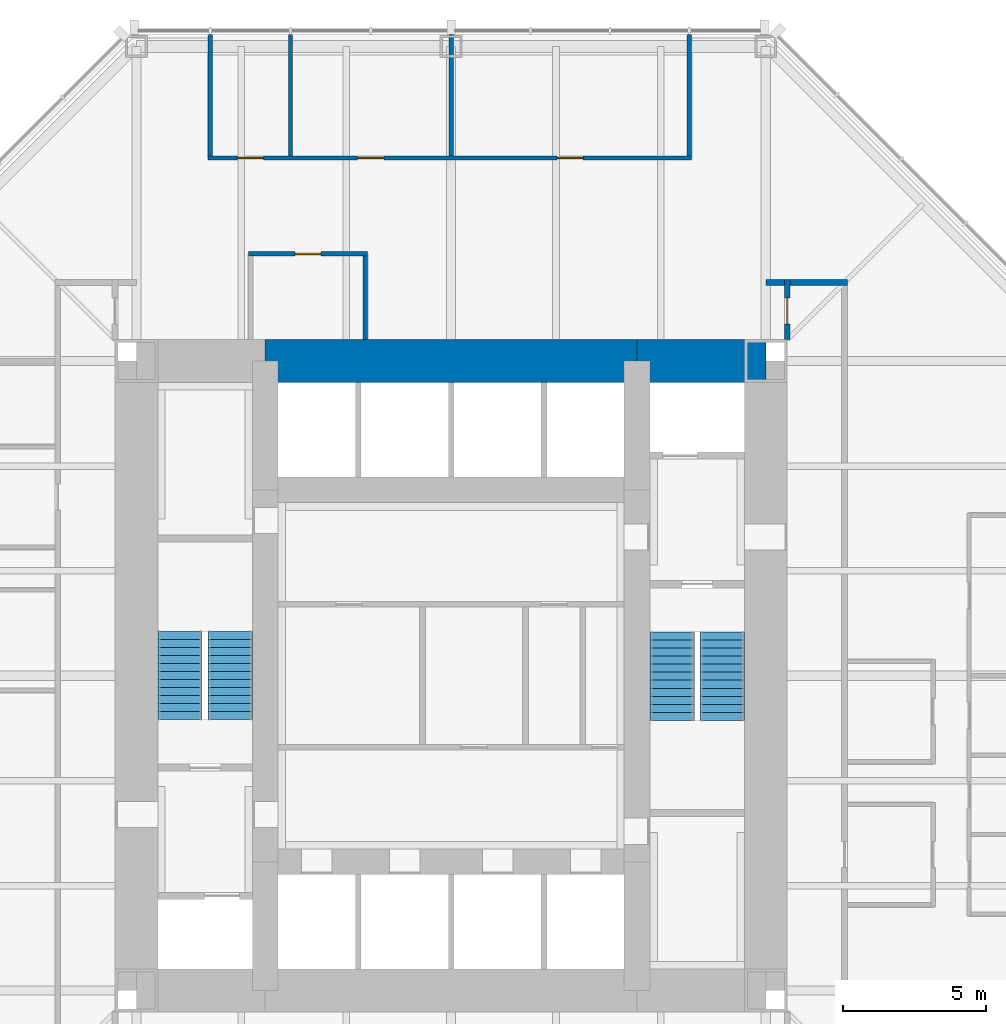
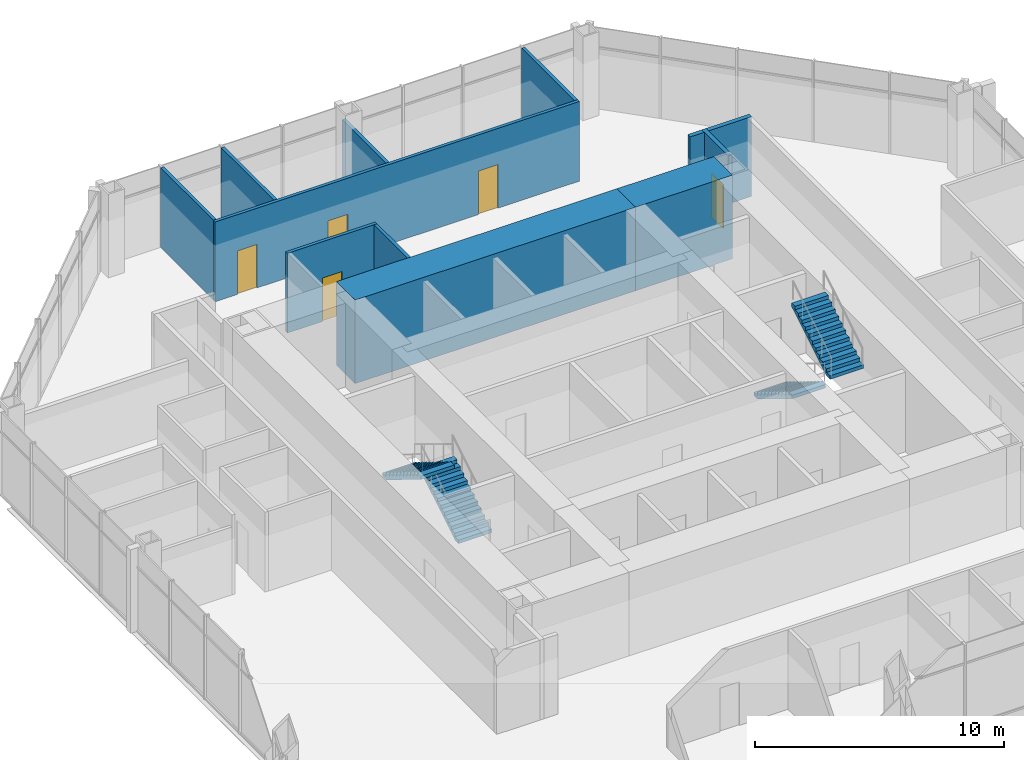
# One storey, part 11 of 12: 11 walls, 5 doors, 4 stair flights, 5 openings, 2 elements without a shape of their own.
"""IFC4 building model written with IfcOpenShell, lengths in metres."""

from ifc_helpers import new_model, si_unit, direction, frame, frame_2d, origin, place, context, subcontext, project, spatial, polyline, rectangle, outline, extrude, material, layer, layer_set, type_object, element, fill, aggregate, save


model = new_model("IFC4")

# Units and contexts
model_context = context("Model", 3, precision=1e-05, world=origin(), true_north=direction((0.0, 1.0)))
body_context = subcontext(model_context, "Body", "Model", "MODEL_VIEW")
ifc_project = project(units=[si_unit("LENGTHUNIT", "METRE"), si_unit("AREAUNIT", "SQUARE_METRE"), si_unit("VOLUMEUNIT", "CUBIC_METRE"), si_unit("PLANEANGLEUNIT", "RADIAN"), si_unit("MASSUNIT", "GRAM", prefix="KILO")], contexts=[model_context])

# Site, building, storey
site_placement = place(None, origin())
site = spatial("IfcSite", under=ifc_project, at=site_placement, CompositionType="ELEMENT")
building_placement = place(site_placement, origin())
building = spatial("IfcBuilding", under=site, at=building_placement, Name="Trevanion Tower", CompositionType="ELEMENT")
storey_placement = place(building_placement, frame((0.0, 0.0, 141.800048828125)))
storey = spatial("IfcBuildingStorey", under=building, at=storey_placement, Name="L33", CompositionType="ELEMENT", Elevation=141.800048828125)

# Walls
ifc_material_1 = material(Name="Concrete 10,000 psi", Category="concrete")
ifc_layer_1 = layer(ifc_material_1, 1.5)
ifc_layer_set_1 = layer_set([ifc_layer_1], Name="CW1 core wall 1500")
wall_type_1 = type_object("IfcWallType", Name="CW1 core wall 1500", PredefinedType="SHEAR", material=ifc_layer_set_1)
wall_1_placement = place(storey_placement, frame((11.0, 11.0, 0.0), z_axis=(0.0, 0.0, 1.0), x_axis=(-1.0, 0.0, 0.0)))
element("IfcWall", 1, at=wall_1_placement, inside=storey, type_object=wall_type_1, Name="CW1 CN1 L33", PredefinedType="SHEAR", context=body_context, shape_type="SweptSolid", body=[
    extrude(rectangle(XDim=4.5, YDim=1.5, at=frame_2d((2.25, 0.0))), origin(), (0.0, 0.0, 1.0), 4.099853515625),
])
wall_2_placement = place(storey_placement, frame((6.5, 11.0, 0.0), z_axis=(0.0, 0.0, 1.0), x_axis=(-1.0, 0.0, 0.0)))
element("IfcWall", 2, at=wall_2_placement, inside=storey, type_object=wall_type_1, Name="CW1 CN2 L33", PredefinedType="SHEAR", context=body_context, shape_type="SweptSolid", body=[
    extrude(rectangle(XDim=13.0, YDim=1.5, at=frame_2d((6.5, 0.0))), origin(), (0.0, 0.0, 1.0), 4.099853515625),
])

# Wall, openings, doors
ifc_material_2 = material(Name="Gypsum board on steel studs", Category="steel")
ifc_layer_2 = layer(ifc_material_2, 0.14990234375)
ifc_layer_set_2 = layer_set([ifc_layer_2], Name="PT1 partition 150")
wall_type_2 = type_object("IfcWallType", Name="PT1 partition 150", PredefinedType="PARTITIONING", material=ifc_layer_set_2)
wall_3_placement = place(storey_placement, frame((8.39794921875, 18.10009765625, 0.0), z_axis=(0.0, 0.0, 1.0), x_axis=(-1.0, 0.0, 0.0)))
wall_3 = element("IfcWall", 3, at=wall_3_placement, inside=storey, type_object=wall_type_2, Name="PT1 L33 FC1F", PredefinedType="PARTITIONING", context=body_context, shape_type="SweptSolid", body=[
    extrude(rectangle(XDim=16.89404296875, YDim=0.14990234375, at=frame_2d((8.447021484375, 0.0))), origin(), (0.0, 0.0, 1.0), 3.909912109375),
])
opening_1_placement = place(wall_3_placement, frame((3.779052734375, 0.0, 0.0)))
opening_1 = element("IfcOpeningElement", 4, at=opening_1_placement, cuts=wall_3, Name="Opening 33-023", PredefinedType="OPENING", context=body_context, shape_type="SweptSolid", body=[
    extrude(rectangle(XDim=0.9150390625, YDim=2.134033203125, at=frame_2d((0.45751953125, 1.06689453125))), frame((0.0, 0.0849609375, 0.0), z_axis=(0.0, -1.0, 0.0), x_axis=(1.0, 0.0, 0.0)), (0.0, 0.0, 1.0), 0.169921875),
])
opening_2_placement = place(wall_3_placement, frame((10.74755859375, 0.0, 0.0)))
opening_2 = element("IfcOpeningElement", 5, at=opening_2_placement, cuts=wall_3, Name="Opening 33-024", PredefinedType="OPENING", context=body_context, shape_type="SweptSolid", body=[
    extrude(rectangle(XDim=0.9150390625, YDim=2.134033203125, at=frame_2d((0.45751953125, 1.06689453125))), frame((0.0, 0.0849609375, 0.0), z_axis=(0.0, -1.0, 0.0), x_axis=(1.0, 0.0, 0.0)), (0.0, 0.0, 1.0), 0.169921875),
])
opening_3_placement = place(wall_3_placement, frame((14.9580078125, 0.0, 0.0)))
opening_3 = element("IfcOpeningElement", 6, at=opening_3_placement, cuts=wall_3, Name="Opening 33-025", PredefinedType="OPENING", context=body_context, shape_type="SweptSolid", body=[
    extrude(rectangle(XDim=0.9150390625, YDim=2.134033203125, at=frame_2d((0.45751953125, 1.06689453125))), frame((0.0, 0.0849609375, 0.0), z_axis=(0.0, -1.0, 0.0), x_axis=(1.0, 0.0, 0.0)), (0.0, 0.0, 1.0), 0.169921875),
])
ifc_material_3 = material(Name="Timber veneer, solid core", Category="wood")
door_type_1 = type_object("IfcDoorType", Name="D1 office and meeting room door", OperationType="SINGLE_SWING_LEFT", PredefinedType="DOOR", material=ifc_material_3)
door_1_placement = place(opening_1_placement, origin())
door_1 = element("IfcDoor", 7, at=door_1_placement, inside=storey, type_object=door_type_1, Name="Door 33-023", OperationType="SINGLE_SWING_LEFT", OverallHeight=2.134033203125, OverallWidth=0.9150390625, PredefinedType="DOOR", context=body_context, shape_type="SweptSolid", body=[
    extrude(rectangle(XDim=0.9150390625, YDim=2.134033203125, at=frame_2d((0.45751953125, 1.06689453125))), frame((0.0, 0.02490234375, 0.0), z_axis=(0.0, -1.0, 0.0), x_axis=(1.0, 0.0, 0.0)), (0.0, 0.0, 1.0), 0.050048828125),
])
fill(opening_1, door_1)
door_2_placement = place(opening_2_placement, origin())
door_2 = element("IfcDoor", 8, at=door_2_placement, inside=storey, type_object=door_type_1, Name="Door 33-024", OperationType="SINGLE_SWING_LEFT", OverallHeight=2.134033203125, OverallWidth=0.9150390625, PredefinedType="DOOR", context=body_context, shape_type="SweptSolid", body=[
    extrude(rectangle(XDim=0.9150390625, YDim=2.134033203125, at=frame_2d((0.45751953125, 1.06689453125))), frame((0.0, 0.02490234375, 0.0), z_axis=(0.0, -1.0, 0.0), x_axis=(1.0, 0.0, 0.0)), (0.0, 0.0, 1.0), 0.050048828125),
])
fill(opening_2, door_2)
door_3_placement = place(opening_3_placement, origin())
door_3 = element("IfcDoor", 9, at=door_3_placement, inside=storey, type_object=door_type_1, Name="Door 33-025", OperationType="SINGLE_SWING_LEFT", OverallHeight=2.134033203125, OverallWidth=0.9150390625, PredefinedType="DOOR", context=body_context, shape_type="SweptSolid", body=[
    extrude(rectangle(XDim=0.9150390625, YDim=2.134033203125, at=frame_2d((0.45751953125, 1.06689453125))), frame((0.0, 0.02490234375, 0.0), z_axis=(0.0, -1.0, 0.0), x_axis=(1.0, 0.0, 0.0)), (0.0, 0.0, 1.0), 0.050048828125),
])
fill(opening_3, door_3)

# Walls
wall_4_placement = place(storey_placement, frame((8.322998046875, 18.175048828125, 0.0), z_axis=(0.0, 0.0, 1.0), x_axis=(0.0, 1.0, 0.0)))
element("IfcWall", 10, at=wall_4_placement, inside=storey, type_object=wall_type_2, Name="PT1 L33 FC1S0", PredefinedType="PARTITIONING", context=body_context, shape_type="SweptSolid", body=[
    extrude(rectangle(XDim=4.239990234375, YDim=0.14990234375, at=frame_2d((2.1201171875, 0.0))), origin(), (0.0, 0.0, 1.0), 3.909912109375),
])
wall_5_placement = place(storey_placement, frame((0.0, 18.175048828125, 0.0), z_axis=(0.0, 0.0, 1.0), x_axis=(0.0, 1.0, 0.0)))
element("IfcWall", 11, at=wall_5_placement, inside=storey, type_object=wall_type_2, Name="PT1 L33 FC1S3", PredefinedType="PARTITIONING", context=body_context, shape_type="SweptSolid", body=[
    extrude(rectangle(XDim=4.239990234375, YDim=0.14990234375, at=frame_2d((2.1201171875, 0.0))), origin(), (0.0, 0.0, 1.0), 3.32568359375),
])
for number, where, z_axis, x_axis, name in (
    (12, (-5.614013671875, 18.175048828125, 0.0), (0.0, 0.0, 1.0), (0.0, 1.0, 0.0), "PT1 L33 FC1S5"),
    (13, (-8.4208984375, 18.175048828125, 0.0), (0.0, 0.0, 1.0), (0.0, 1.0, 0.0), "PT1 L33 FC1S6"),
):
    element("IfcWall", number, at=place(storey_placement, frame(where, z_axis=z_axis, x_axis=x_axis)), inside=storey, type_object=wall_type_2, Name=name, PredefinedType="PARTITIONING", context=body_context, shape_type="SweptSolid", body=[
        extrude(rectangle(XDim=4.239990234375, YDim=0.14990234375, at=frame_2d((2.1201171875, 0.0))), origin(), (0.0, 0.0, 1.0), 3.909912109375),
    ])

# Wall, opening, door
wall_6_placement = place(storey_placement, frame((-2.925048828125, 14.75, 0.0), z_axis=(0.0, 0.0, 1.0), x_axis=(-1.0, 0.0, 0.0)))
wall_6 = element("IfcWall", 14, at=wall_6_placement, inside=storey, type_object=wall_type_2, Name="PT1 L33 IN10F", PredefinedType="PARTITIONING", context=body_context, shape_type="SweptSolid", body=[
    extrude(rectangle(XDim=4.14990234375, YDim=0.14990234375, at=frame_2d((2.074951171875, 0.0))), origin(), (0.0, 0.0, 1.0), 3.909912109375),
])
opening_4_placement = place(wall_6_placement, frame((1.617431640625, 0.0, 0.0)))
opening_4 = element("IfcOpeningElement", 15, at=opening_4_placement, cuts=wall_6, Name="Opening 33-042", PredefinedType="OPENING", context=body_context, shape_type="SweptSolid", body=[
    extrude(rectangle(XDim=0.9150390625, YDim=2.134033203125, at=frame_2d((0.45751953125, 1.06689453125))), frame((0.0, 0.0849609375, 0.0), z_axis=(0.0, -1.0, 0.0), x_axis=(1.0, 0.0, 0.0)), (0.0, 0.0, 1.0), 0.169921875),
])
door_4_placement = place(opening_4_placement, origin())
door_4 = element("IfcDoor", 16, at=door_4_placement, inside=storey, type_object=door_type_1, Name="Door 33-042", OperationType="SINGLE_SWING_LEFT", OverallHeight=2.134033203125, OverallWidth=0.9150390625, PredefinedType="DOOR", context=body_context, shape_type="SweptSolid", body=[
    extrude(rectangle(XDim=0.9150390625, YDim=2.134033203125, at=frame_2d((0.45751953125, 1.06689453125))), frame((0.0, 0.02490234375, 0.0), z_axis=(0.0, -1.0, 0.0), x_axis=(1.0, 0.0, 0.0)), (0.0, 0.0, 1.0), 0.050048828125),
])
fill(opening_4, door_4)

# Wall
wall_7_placement = place(storey_placement, frame((-3.0, 14.675048828125, 0.0), z_axis=(0.0, 0.0, 1.0), x_axis=(0.0, -1.0, 0.0)))
element("IfcWall", 17, at=wall_7_placement, inside=storey, type_object=wall_type_2, Name="PT1 L33 IN10S0", PredefinedType="PARTITIONING", context=body_context, shape_type="SweptSolid", body=[
    extrude(rectangle(XDim=2.925048828125, YDim=0.14990234375, at=frame_2d((1.46240234375, 0.0))), origin(), (0.0, 0.0, 1.0), 3.909912109375),
])

# Wall, opening, door
ifc_material_4 = material(Name="Concrete masonry, grouted", Category="masonry")
ifc_layer_3 = layer(ifc_material_4, 0.199951171875)
ifc_layer_set_3 = layer_set([ifc_layer_3], Name="PT2 partition 200 1 HR")
wall_type_3 = type_object("IfcWallType", Name="PT2 partition 200 1 HR", PredefinedType="PARTITIONING", material=ifc_layer_set_3)
wall_8_placement = place(storey_placement, frame((11.75, 11.75, 0.0), z_axis=(0.0, 0.0, 1.0), x_axis=(0.0, 1.0, 0.0)))
wall_8 = element("IfcWall", 18, at=wall_8_placement, inside=storey, type_object=wall_type_3, Name="PT2 L33 OUNE1", PredefinedType="PARTITIONING", context=body_context, shape_type="SweptSolid", body=[
    extrude(rectangle(XDim=2.10009765625, YDim=0.199951171875, at=frame_2d((1.050048828125, 0.0))), origin(), (0.0, 0.0, 1.0), 3.909912109375),
])
opening_5_placement = place(wall_8_placement, frame((0.54248046875, 0.0, 0.0)))
opening_5 = element("IfcOpeningElement", 19, at=opening_5_placement, cuts=wall_8, Name="Opening 33-019", PredefinedType="OPENING", context=body_context, shape_type="SweptSolid", body=[
    extrude(rectangle(XDim=0.9150390625, YDim=2.134033203125, at=frame_2d((0.45751953125, 1.06689453125))), frame((0.0, 0.10986328125, 0.0), z_axis=(0.0, -1.0, 0.0), x_axis=(1.0, 0.0, 0.0)), (0.0, 0.0, 1.0), 0.219970703125),
])
ifc_material_5 = material(Name="Timber veneer, fire rated", Category="wood")
door_type_2 = type_object("IfcDoorType", Name="D10 office door in a one hour wall", OperationType="SINGLE_SWING_LEFT", PredefinedType="DOOR", material=ifc_material_5)
door_5_placement = place(opening_5_placement, origin())
door_5 = element("IfcDoor", 20, at=door_5_placement, inside=storey, type_object=door_type_2, Name="Door 33-019", OperationType="SINGLE_SWING_LEFT", OverallHeight=2.134033203125, OverallWidth=0.9150390625, PredefinedType="DOOR", context=body_context, shape_type="SweptSolid", body=[
    extrude(rectangle(XDim=0.9150390625, YDim=2.134033203125, at=frame_2d((0.45751953125, 1.06689453125))), frame((0.0, 0.02490234375, 0.0), z_axis=(0.0, -1.0, 0.0), x_axis=(1.0, 0.0, 0.0)), (0.0, 0.0, 1.0), 0.050048828125),
])
fill(opening_5, door_5)

# Wall
wall_9_placement = place(storey_placement, frame((11.0, 13.75, 0.0), z_axis=(0.0, 0.0, 1.0), x_axis=(1.0, 0.0, 0.0)))
element("IfcWall", 21, at=wall_9_placement, inside=storey, type_object=wall_type_3, Name="PT2 L33 OUNE2", PredefinedType="PARTITIONING", context=body_context, shape_type="SweptSolid", body=[
    extrude(rectangle(XDim=2.85009765625, YDim=0.199951171875, at=frame_2d((1.425048828125, 0.0))), origin(), (0.0, 0.0, 1.0), 3.909912109375),
])

# Stair, stair flights
ifc_material_6 = material(Name="Concrete 5,000 psi on steel stringers", Category="concrete")
stair_type = type_object("IfcStairType", Name="ST stair", PredefinedType="HALF_TURN_STAIR", material=ifc_material_6)
stair_1_placement = place(storey_placement, origin())
stair_1 = element("IfcStair", 22, at=stair_1_placement, inside=storey, type_object=stair_type, Name="ST1 L33", PredefinedType="HALF_TURN_STAIR")
ifc_material_7 = material(Name="Concrete 5,000 psi in steel pan", Category="concrete")
stair_flight_type = type_object("IfcStairFlightType", Name="STF stair flight", PredefinedType="STRAIGHT", material=ifc_material_7)
stair_flight_1_placement = place(storey_placement, frame((7.72509765625, 1.52490234375, 0.0), z_axis=(0.0, 0.0, 1.0), x_axis=(0.0, -1.0, 0.0)))
stair_flight_1 = element("IfcStairFlight", 23, at=stair_flight_1_placement, type_object=stair_flight_type, Name="ST1 flight 1", NumberOfRisers=12, NumberOfTreads=11, PredefinedType="STRAIGHT", RiserHeight=0.170833333, TreadLength=0.28, context=body_context, shape_type="SweptSolid", body=[
    extrude(outline(polyline([(0.0, 0.0), (0.0, 0.1708984375), (0.280029296875, 0.1708984375), (0.280029296875, 0.341552734375), (0.56005859375, 0.341552734375), (0.56005859375, 0.512451171875), (0.840087890625, 0.512451171875), (0.840087890625, 0.683349609375), (1.1201171875, 0.683349609375), (1.1201171875, 0.854248046875), (1.39990234375, 0.854248046875), (1.39990234375, 1.02490234375), (1.679931640625, 1.02490234375), (1.679931640625, 1.19580078125), (1.9599609375, 1.19580078125), (1.9599609375, 1.36669921875), (2.239990234375, 1.36669921875), (2.239990234375, 1.53759765625), (2.52001953125, 1.53759765625), (2.52001953125, 1.708251953125), (2.800048828125, 1.708251953125), (2.800048828125, 1.879150390625), (3.080078125, 1.879150390625), (3.080078125, 2.050048828125), (3.080078125, 1.70361328125), (0.287841796875, 0.0), (0.0, 0.0)])), frame((0.0, 0.77490234375, 0.0), z_axis=(0.0, -1.0, 0.0), x_axis=(1.0, 0.0, 0.0)), (0.0, 0.0, 1.0), 1.550048828125),
])
stair_flight_2_placement = place(storey_placement, frame((9.47509765625, -1.554931640625, 2.050048828125), z_axis=(0.0, 0.0, 1.0), x_axis=(0.0, 1.0, 0.0)))
stair_flight_2 = element("IfcStairFlight", 24, at=stair_flight_2_placement, type_object=stair_flight_type, Name="ST1 flight 2", NumberOfRisers=12, NumberOfTreads=11, PredefinedType="STRAIGHT", RiserHeight=0.170833333, TreadLength=0.28, context=body_context, shape_type="SweptSolid", body=[
    extrude(outline(polyline([(0.0, 0.0), (0.0, 0.1708984375), (0.280029296875, 0.1708984375), (0.280029296875, 0.341552734375), (0.56005859375, 0.341552734375), (0.56005859375, 0.512451171875), (0.840087890625, 0.512451171875), (0.840087890625, 0.683349609375), (1.1201171875, 0.683349609375), (1.1201171875, 0.854248046875), (1.39990234375, 0.854248046875), (1.39990234375, 1.02490234375), (1.679931640625, 1.02490234375), (1.679931640625, 1.19580078125), (1.9599609375, 1.19580078125), (1.9599609375, 1.36669921875), (2.239990234375, 1.36669921875), (2.239990234375, 1.53759765625), (2.52001953125, 1.53759765625), (2.52001953125, 1.708251953125), (2.800048828125, 1.708251953125), (2.800048828125, 1.879150390625), (3.080078125, 1.879150390625), (3.080078125, 2.050048828125), (3.080078125, 1.70361328125), (0.287841796875, 0.0), (0.0, 0.0)])), frame((0.0, 0.77490234375, 0.0), z_axis=(0.0, -1.0, 0.0), x_axis=(1.0, 0.0, 0.0)), (0.0, 0.0, 1.0), 1.550048828125),
])
aggregate(stair_1, [stair_flight_1, stair_flight_2])

stair_2_placement = place(storey_placement, origin())
stair_2 = element("IfcStair", 25, at=stair_2_placement, inside=storey, type_object=stair_type, Name="ST2 L33", PredefinedType="HALF_TURN_STAIR")
stair_flight_3_placement = place(storey_placement, frame((-7.72509765625, -1.52490234375, 0.0), z_axis=(0.0, 0.0, 1.0), x_axis=(0.0, 1.0, 0.0)))
stair_flight_3 = element("IfcStairFlight", 26, at=stair_flight_3_placement, type_object=stair_flight_type, Name="ST2 flight 1", NumberOfRisers=12, NumberOfTreads=11, PredefinedType="STRAIGHT", RiserHeight=0.170833333, TreadLength=0.28, context=body_context, shape_type="SweptSolid", body=[
    extrude(outline(polyline([(0.0, 0.0), (0.0, 0.1708984375), (0.280029296875, 0.1708984375), (0.280029296875, 0.341552734375), (0.56005859375, 0.341552734375), (0.56005859375, 0.512451171875), (0.840087890625, 0.512451171875), (0.840087890625, 0.683349609375), (1.1201171875, 0.683349609375), (1.1201171875, 0.854248046875), (1.39990234375, 0.854248046875), (1.39990234375, 1.02490234375), (1.679931640625, 1.02490234375), (1.679931640625, 1.19580078125), (1.9599609375, 1.19580078125), (1.9599609375, 1.36669921875), (2.239990234375, 1.36669921875), (2.239990234375, 1.53759765625), (2.52001953125, 1.53759765625), (2.52001953125, 1.708251953125), (2.800048828125, 1.708251953125), (2.800048828125, 1.879150390625), (3.080078125, 1.879150390625), (3.080078125, 2.050048828125), (3.080078125, 1.70361328125), (0.287841796875, 0.0), (0.0, 0.0)])), frame((0.0, 0.77490234375, 0.0), z_axis=(0.0, -1.0, 0.0), x_axis=(1.0, 0.0, 0.0)), (0.0, 0.0, 1.0), 1.550048828125),
])
stair_flight_4_placement = place(storey_placement, frame((-9.47509765625, 1.554931640625, 2.050048828125), z_axis=(0.0, 0.0, 1.0), x_axis=(0.0, -1.0, 0.0)))
stair_flight_4 = element("IfcStairFlight", 27, at=stair_flight_4_placement, type_object=stair_flight_type, Name="ST2 flight 2", NumberOfRisers=12, NumberOfTreads=11, PredefinedType="STRAIGHT", RiserHeight=0.170833333, TreadLength=0.28, context=body_context, shape_type="SweptSolid", body=[
    extrude(outline(polyline([(0.0, 0.0), (0.0, 0.1708984375), (0.280029296875, 0.1708984375), (0.280029296875, 0.341552734375), (0.56005859375, 0.341552734375), (0.56005859375, 0.512451171875), (0.840087890625, 0.512451171875), (0.840087890625, 0.683349609375), (1.1201171875, 0.683349609375), (1.1201171875, 0.854248046875), (1.39990234375, 0.854248046875), (1.39990234375, 1.02490234375), (1.679931640625, 1.02490234375), (1.679931640625, 1.19580078125), (1.9599609375, 1.19580078125), (1.9599609375, 1.36669921875), (2.239990234375, 1.36669921875), (2.239990234375, 1.53759765625), (2.52001953125, 1.53759765625), (2.52001953125, 1.708251953125), (2.800048828125, 1.708251953125), (2.800048828125, 1.879150390625), (3.080078125, 1.879150390625), (3.080078125, 2.050048828125), (3.080078125, 1.70361328125), (0.287841796875, 0.0), (0.0, 0.0)])), frame((0.0, 0.77490234375, 0.0), z_axis=(0.0, -1.0, 0.0), x_axis=(1.0, 0.0, 0.0)), (0.0, 0.0, 1.0), 1.550048828125),
])
aggregate(stair_2, [stair_flight_3, stair_flight_4])

save(model, "model.ifc")
